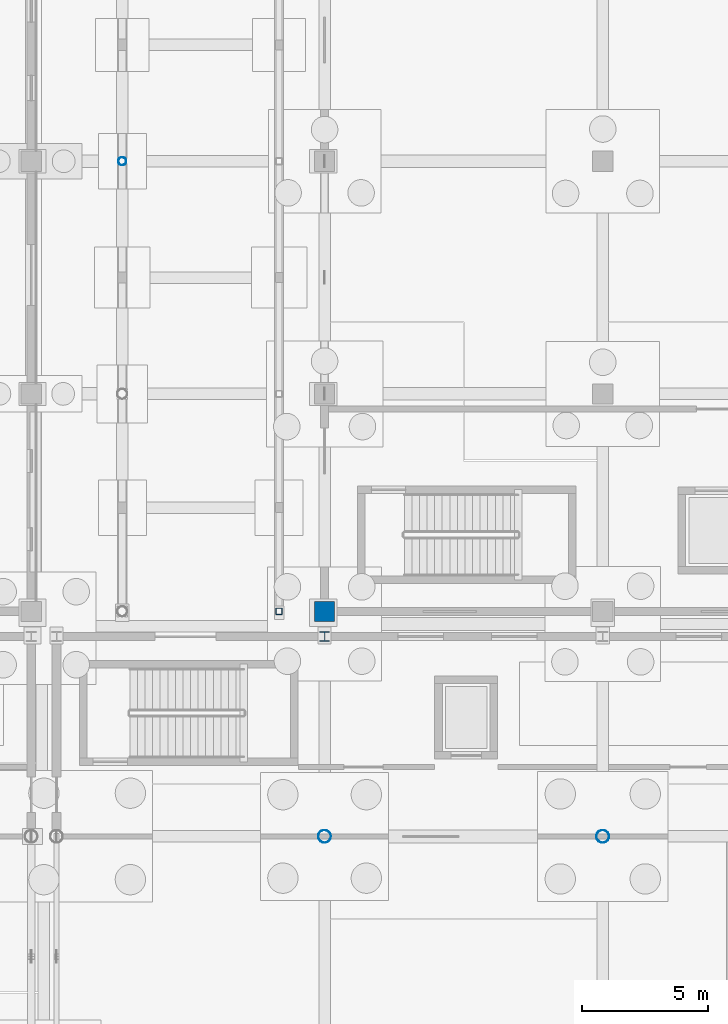
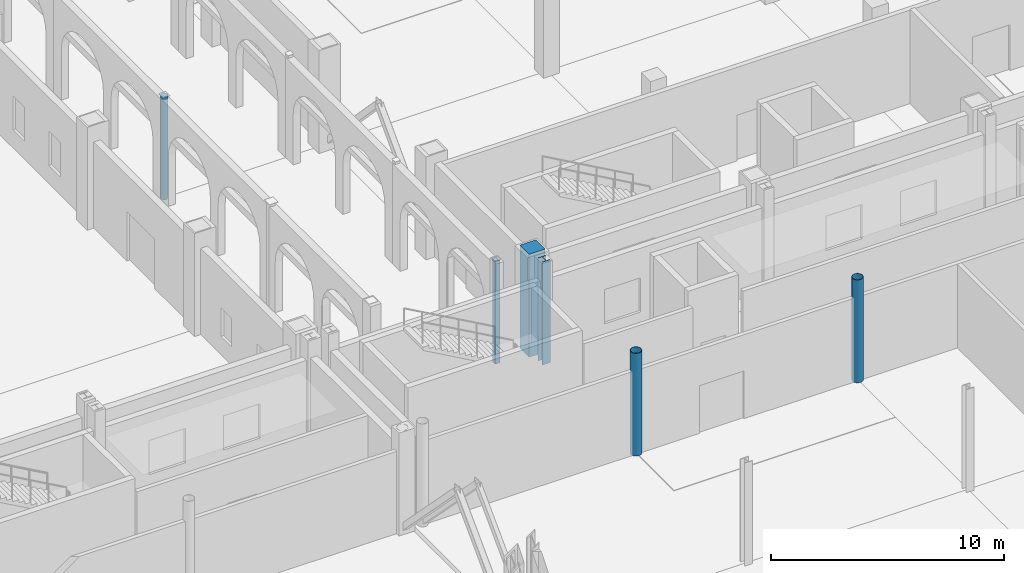
# One storey, part 23 of 83: 6 columns.
"""IFC4 building model written with IfcOpenShell, lengths in metres."""

from ifc_helpers import new_model, si_unit, direction, frame, origin, origin_2d, place, context, subcontext, project, spatial, rectangle, hollow_rectangle, hollow_circle, i_section, extrude, material, material_profile, profile_set, type_object, element, save


model = new_model("IFC4")

# Units and contexts
model_context = context("Model", 3, precision=1e-05, world=origin(), true_north=direction((0.0, 1.0)))
body_context = subcontext(model_context, "Body", "Model", "MODEL_VIEW")
ifc_project = project(units=[si_unit("LENGTHUNIT", "METRE"), si_unit("AREAUNIT", "SQUARE_METRE"), si_unit("VOLUMEUNIT", "CUBIC_METRE"), si_unit("PLANEANGLEUNIT", "RADIAN"), si_unit("MASSUNIT", "GRAM", prefix="KILO")], contexts=[model_context])

# Site, building, storey
site_placement = place(None, origin())
site = spatial("IfcSite", under=ifc_project, at=site_placement, CompositionType="ELEMENT")
building_placement = place(site_placement, origin())
building = spatial("IfcBuilding", under=site, at=building_placement, Name="Caurita Quay Ferry Terminal", CompositionType="ELEMENT")
storey_placement = place(building_placement, origin())
storey = spatial("IfcBuildingStorey", under=building, at=storey_placement, Name="L00", CompositionType="ELEMENT", Elevation=0.0)

# Columns
ifc_material_1 = material(Name="Hollow structural steel ASTM A500 Gr. C", Category="steel")
ifc_material_profile_1 = material_profile(ifc_material_1, hollow_rectangle(XDim=0.25390625, YDim=0.25390625, WallThickness=0.01171875, InnerFilletRadius=0.01171875, OuterFilletRadius=0.023681640625, at=origin_2d()), Name="HSS10X10X1/2")
ifc_profile_set_1 = profile_set([ifc_material_profile_1], Name="Hollow structural steel ASTM A500 Gr. C")
column_type_1 = type_object("IfcColumnType", Name="COL-HSS-03", PredefinedType="COLUMN", material=ifc_profile_set_1)
column_1_placement = place(storey_placement, frame((97.39990234375, 71.60009765625, 0.0), z_axis=(0.0, 0.0, 1.0), x_axis=(1.0, 0.0, 0.0)))
element("IfcColumn", 1, at=column_1_placement, inside=storey, type_object=column_type_1, Name="L00 Column V6-E-L", PredefinedType="COLUMN", context=body_context, shape_type="SweptSolid", body=[
    extrude(hollow_rectangle(XDim=0.25390625, YDim=0.25390625, WallThickness=0.01171875, InnerFilletRadius=0.01171875, OuterFilletRadius=0.023681640625, at=origin_2d()), origin(), (0.0, 0.0, 1.0), 5.39990234375),
])
ifc_material_profile_2 = material_profile(ifc_material_1, hollow_circle(Radius=0.25390625, WallThickness=0.01171875, at=origin_2d()), Name="HSS20.000X0.500")
ifc_profile_set_2 = profile_set([ifc_material_profile_2], Name="Hollow structural steel ASTM A500 Gr. C")
column_type_2 = type_object("IfcColumnType", Name="COL-MST-01", PredefinedType="COLUMN", material=ifc_profile_set_2)
for number, where, z_axis, x_axis, name in (
    (2, (99.199951171875, 62.699951171875, 0.0), (0.0, 0.0, 1.0), (1.0, 0.0, 0.0), "L00 Column V2-MST-11-N"),
    (3, (110.199951171875, 62.699951171875, 0.0), (0.0, 0.0, 1.0), (1.0, 0.0, 0.0), "L00 Column V2-MST-12-N"),
):
    element("IfcColumn", number, at=place(storey_placement, frame(where, z_axis=z_axis, x_axis=x_axis)), inside=storey, type_object=column_type_2, Name=name, PredefinedType="COLUMN", context=body_context, shape_type="SweptSolid", body=[
        extrude(hollow_circle(Radius=0.25390625, WallThickness=0.01171875, at=origin_2d()), origin(), (0.0, 0.0, 1.0), 5.39990234375),
    ])
ifc_material_profile_3 = material_profile(ifc_material_1, hollow_circle(Radius=0.161865234375, WallThickness=0.0087890625, at=origin_2d()), Name="HSS12.750X0.375")
ifc_profile_set_3 = profile_set([ifc_material_profile_3], Name="Hollow structural steel ASTM A500 Gr. C")
column_type_3 = type_object("IfcColumnType", Name="COL-MST-03", PredefinedType="COLUMN", material=ifc_profile_set_3)
column_2_placement = place(storey_placement, frame((91.199951171875, 89.39990234375, 0.0), z_axis=(0.0, 0.0, 1.0), x_axis=(1.0, 0.0, 0.0)))
element("IfcColumn", 4, at=column_2_placement, inside=storey, type_object=column_type_3, Name="L00 Column V6-W-N", PredefinedType="COLUMN", context=body_context, shape_type="SweptSolid", body=[
    extrude(hollow_circle(Radius=0.161865234375, WallThickness=0.0087890625, at=origin_2d()), origin(), (0.0, 0.0, 1.0), 5.39990234375),
])
ifc_material_2 = material(Name="Marine reinforced concrete C40/50", Category="concrete")
ifc_material_profile_4 = material_profile(ifc_material_2, rectangle(XDim=0.800048828125, YDim=0.800048828125, at=origin_2d()), Name="RC-COL-800X800")
ifc_profile_set_4 = profile_set([ifc_material_profile_4], Name="Marine reinforced concrete C40/50")
column_type_4 = type_object("IfcColumnType", Name="COL-RC-800", PredefinedType="COLUMN", material=ifc_profile_set_4)
column_3_placement = place(storey_placement, frame((99.199951171875, 71.60009765625, 0.0), z_axis=(0.0, 0.0, 1.0), x_axis=(1.0, 0.0, 0.0)))
element("IfcColumn", 5, at=column_3_placement, inside=storey, type_object=column_type_4, Name="L00 Column V4-11-L", PredefinedType="COLUMN", context=body_context, shape_type="SweptSolid", body=[
    extrude(rectangle(XDim=0.800048828125, YDim=0.800048828125, at=origin_2d()), origin(), (0.0, 0.0, 1.0), 5.39990234375),
])
ifc_material_3 = material(Name="Structural steel ASTM A992 Gr. 50", Category="steel")
ifc_material_profile_5 = material_profile(ifc_material_3, i_section(OverallWidth=0.398681640625, OverallDepth=0.393798828125, WebThickness=0.022705078125, FlangeThickness=0.03662109375, FilletRadius=0.017822265625, at=origin_2d()), Name="W14X193")
ifc_profile_set_5 = profile_set([ifc_material_profile_5], Name="Structural steel ASTM A992 Gr. 50")
column_type_5 = type_object("IfcColumnType", Name="COL-STL-04", PredefinedType="COLUMN", material=ifc_profile_set_5)
column_4_placement = place(storey_placement, frame((99.199951171875, 70.60009765625, 0.0), z_axis=(0.0, 0.0, 1.0), x_axis=(1.0, 0.0, 0.0)))
element("IfcColumn", 6, at=column_4_placement, inside=storey, type_object=column_type_5, Name="L00 Column V2-NTH-11-K", PredefinedType="COLUMN", context=body_context, shape_type="SweptSolid", body=[
    extrude(i_section(OverallWidth=0.398681640625, OverallDepth=0.393798828125, WebThickness=0.022705078125, FlangeThickness=0.03662109375, FilletRadius=0.017822265625, at=origin_2d()), origin(), (0.0, 0.0, 1.0), 5.39990234375),
])

save(model, "model.ifc")
